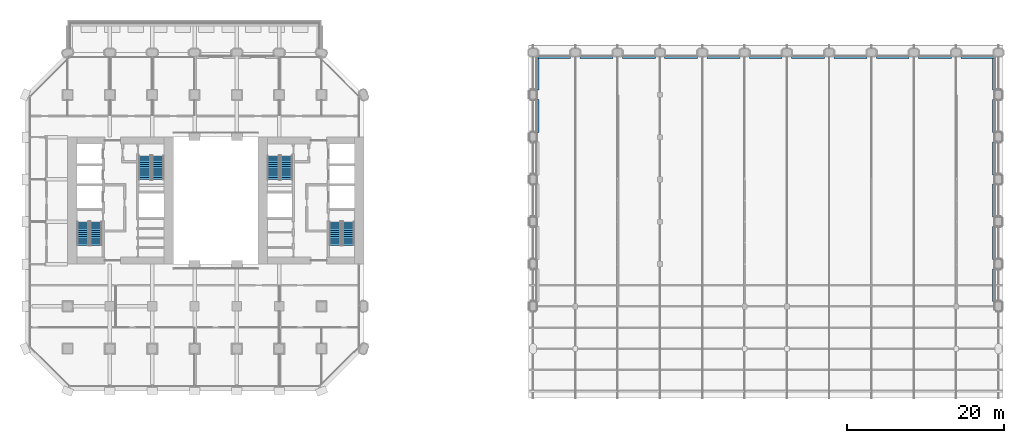
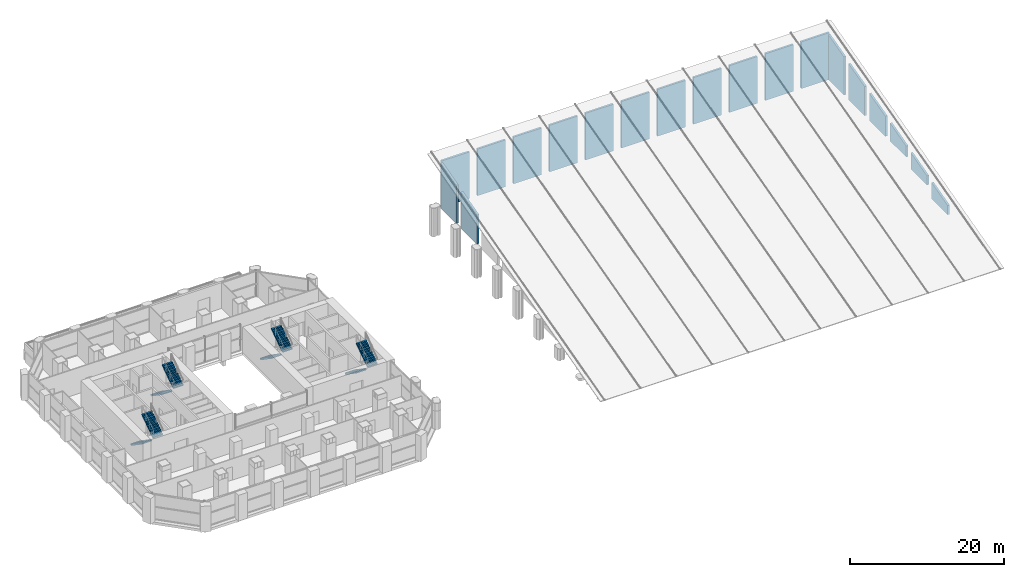
# One storey, part 16 of 23: 19 walls, 8 stair flights, 4 elements without a shape of their own.
"""IFC4 building model written with IfcOpenShell, lengths in metres."""

from ifc_helpers import new_model, si_unit, direction, frame, origin, place, context, subcontext, project, spatial, polyline, outline, extrude, material, layer, layer_set, type_object, element, aggregate, save


model = new_model("IFC4")

# Units and contexts
model_context = context("Model", 3, precision=1e-05, world=origin(), true_north=direction((0.0, 1.0)))
body_context = subcontext(model_context, "Body", "Model", "MODEL_VIEW")
ifc_project = project(units=[si_unit("LENGTHUNIT", "METRE"), si_unit("AREAUNIT", "SQUARE_METRE"), si_unit("VOLUMEUNIT", "CUBIC_METRE"), si_unit("PLANEANGLEUNIT", "RADIAN"), si_unit("MASSUNIT", "GRAM", prefix="KILO")], contexts=[model_context])

# Site, building, storey
site_placement = place(None, origin())
site = spatial("IfcSite", under=ifc_project, at=site_placement, CompositionType="ELEMENT")
building_placement = place(site_placement, origin())
building = spatial("IfcBuilding", under=site, at=building_placement, Name="Tabaq Tower and Sports Hall", CompositionType="ELEMENT")
storey_placement = place(building_placement, frame((0.0, 0.0, 24.60009765625)))
storey = spatial("IfcBuildingStorey", under=building, at=storey_placement, Name="L04", CompositionType="ELEMENT", Elevation=24.60009765625)

# Walls
ifc_material_1 = material(Name="White precast concrete C60/75", Category="concrete")
ifc_layer = layer(ifc_material_1, 0.300048828125)
ifc_layer_set = layer_set([ifc_layer], Name="White precast concrete C60/75 external wall 300")
wall_type = type_object("IfcWallType", Name="White precast concrete C60/75 external wall 300", PredefinedType="SOLIDWALL", material=ifc_layer_set)
wall_1_placement = place(storey_placement, frame((65.39990234375, 42.60009765625, 4.39990234375), z_axis=(0.0, 0.0, 1.0), x_axis=(1.0, 0.0, 0.0)))
element("IfcWall", 1, at=wall_1_placement, inside=storey, type_object=wall_type, Name="L03 N facade panel", PredefinedType="SOLIDWALL", context=body_context, shape_type="SweptSolid", body=[
    extrude(outline(polyline([(0.0, 0.0), (4.2001953125, 0.0), (4.199951171875, 7.419189453125), (0.0, 7.419189453125), (0.0, 0.0)])), frame((0.0, 0.14990234375, 0.0), z_axis=(0.0, -1.0, 0.0), x_axis=(1.0, 0.0, 0.0)), (0.0, 0.0, 1.0), 0.300048828125),
])
for number, where, z_axis, x_axis, name in (
    (2, (70.800048828125, 42.60009765625, 4.39990234375), (0.0, 0.0, 1.0), (1.0, 0.0, 0.0), "L03 N facade panel"),
    (3, (76.199951171875, 42.60009765625, 4.39990234375), (0.0, 0.0, 1.0), (1.0, 0.0, 0.0), "L03 N facade panel"),
    (4, (81.60009765625, 42.60009765625, 4.39990234375), (0.0, 0.0, 1.0), (1.0, 0.0, 0.0), "L03 N facade panel"),
    (5, (87.0, 42.60009765625, 4.39990234375), (0.0, 0.0, 1.0), (1.0, 0.0, 0.0), "L03 N facade panel"),
):
    element("IfcWall", number, at=place(storey_placement, frame(where, z_axis=z_axis, x_axis=x_axis)), inside=storey, type_object=wall_type, Name=name, PredefinedType="SOLIDWALL", context=body_context, shape_type="SweptSolid", body=[
        extrude(outline(polyline([(0.0, 0.0), (4.199951171875, 0.0), (4.199951171875, 7.419189453125), (0.0, 7.419189453125), (0.0, 0.0)])), frame((0.0, 0.14990234375, 0.0), z_axis=(0.0, -1.0, 0.0), x_axis=(1.0, 0.0, 0.0)), (0.0, 0.0, 1.0), 0.300048828125),
    ])
wall_2_placement = place(storey_placement, frame((92.39990234375, 42.60009765625, 4.39990234375), z_axis=(0.0, 0.0, 1.0), x_axis=(1.0, 0.0, 0.0)))
element("IfcWall", 6, at=wall_2_placement, inside=storey, type_object=wall_type, Name="L03 N facade panel", PredefinedType="SOLIDWALL", context=body_context, shape_type="SweptSolid", body=[
    extrude(outline(polyline([(0.0, 0.0), (4.2001953125, 0.0), (4.199951171875, 7.419189453125), (0.0, 7.419189453125), (0.0, 0.0)])), frame((0.0, 0.14990234375, 0.0), z_axis=(0.0, -1.0, 0.0), x_axis=(1.0, 0.0, 0.0)), (0.0, 0.0, 1.0), 0.300048828125),
])
for number, where, z_axis, x_axis, name in (
    (7, (97.800048828125, 42.60009765625, 4.39990234375), (0.0, 0.0, 1.0), (1.0, 0.0, 0.0), "L03 N facade panel"),
    (8, (103.199951171875, 42.60009765625, 4.39990234375), (0.0, 0.0, 1.0), (1.0, 0.0, 0.0), "L03 N facade panel"),
    (9, (108.60009765625, 42.60009765625, 4.39990234375), (0.0, 0.0, 1.0), (1.0, 0.0, 0.0), "L03 N facade panel"),
    (10, (114.0, 42.60009765625, 4.39990234375), (0.0, 0.0, 1.0), (1.0, 0.0, 0.0), "L03 N facade panel"),
):
    element("IfcWall", number, at=place(storey_placement, frame(where, z_axis=z_axis, x_axis=x_axis)), inside=storey, type_object=wall_type, Name=name, PredefinedType="SOLIDWALL", context=body_context, shape_type="SweptSolid", body=[
        extrude(outline(polyline([(0.0, 0.0), (4.199951171875, 0.0), (4.199951171875, 7.419189453125), (0.0, 7.419189453125), (0.0, 0.0)])), frame((0.0, 0.14990234375, 0.0), z_axis=(0.0, -1.0, 0.0), x_axis=(1.0, 0.0, 0.0)), (0.0, 0.0, 1.0), 0.300048828125),
    ])
wall_3_placement = place(storey_placement, frame((119.39990234375, 42.60009765625, 4.39990234375), z_axis=(0.0, 0.0, 1.0), x_axis=(1.0, 0.0, 0.0)))
element("IfcWall", 11, at=wall_3_placement, inside=storey, type_object=wall_type, Name="L03 N facade panel", PredefinedType="SOLIDWALL", context=body_context, shape_type="SweptSolid", body=[
    extrude(outline(polyline([(0.0, 0.0), (4.2001953125, 0.0), (4.199951171875, 7.419189453125), (0.0, 7.419189453125), (0.0, 0.0)])), frame((0.0, 0.14990234375, 0.0), z_axis=(0.0, -1.0, 0.0), x_axis=(1.0, 0.0, 0.0)), (0.0, 0.0, 1.0), 0.300048828125),
])
wall_4_placement = place(storey_placement, frame((65.39990234375, 33.0, 4.39990234375), z_axis=(0.0, 0.0, 1.0), x_axis=(0.0, 1.0, 0.0)))
element("IfcWall", 12, at=wall_4_placement, inside=storey, type_object=wall_type, Name="L03 W facade panel", PredefinedType="SOLIDWALL", context=body_context, shape_type="SweptSolid", body=[
    extrude(outline(polyline([(0.0, 0.0), (4.199951171875, 0.0), (4.199951171875, 5.752197265625), (0.0, 4.626708984375), (0.0, 0.0)])), frame((0.0, 0.14990234375, 0.0), z_axis=(0.0, -1.0, 0.0), x_axis=(1.0, 0.0, 0.0)), (0.0, 0.0, 1.0), 0.300048828125),
])
wall_5_placement = place(storey_placement, frame((65.39990234375, 38.39990234375, 4.39990234375), z_axis=(0.0, 0.0, 1.0), x_axis=(0.0, 1.0, 0.0)))
element("IfcWall", 13, at=wall_5_placement, inside=storey, type_object=wall_type, Name="L03 W facade panel", PredefinedType="SOLIDWALL", context=body_context, shape_type="SweptSolid", body=[
    extrude(outline(polyline([(0.0, 0.0), (4.050048828125, 0.0), (4.050048828125, 7.158935546875), (0.0, 6.07373046875), (0.0, 0.0)])), frame((0.0, 0.14990234375, 0.0), z_axis=(0.0, -1.0, 0.0), x_axis=(1.0, 0.0, 0.0)), (0.0, 0.0, 1.0), 0.300048828125),
])
wall_6_placement = place(storey_placement, frame((123.60009765625, 11.39990234375, 1.776611328125), z_axis=(0.0, 0.0, 1.0), x_axis=(0.0, 1.0, 0.0)))
element("IfcWall", 14, at=wall_6_placement, inside=storey, type_object=wall_type, Name="L03 E facade panel", PredefinedType="SOLIDWALL", context=body_context, shape_type="SweptSolid", body=[
    extrude(outline(polyline([(0.0, 0.0), (4.2001953125, 0.0), (4.199951171875, 2.587646484375), (0.0, 1.46240234375), (0.0, 0.0)])), frame((0.0, 0.14990234375, 0.0), z_axis=(0.0, -1.0, 0.0), x_axis=(1.0, 0.0, 0.0)), (0.0, 0.0, 1.0), 0.300048828125),
])
wall_7_placement = place(storey_placement, frame((123.60009765625, 16.800048828125, 3.2236328125), z_axis=(0.0, 0.0, 1.0), x_axis=(0.0, 1.0, 0.0)))
element("IfcWall", 15, at=wall_7_placement, inside=storey, type_object=wall_type, Name="L03 E facade panel", PredefinedType="SOLIDWALL", context=body_context, shape_type="SweptSolid", body=[
    extrude(outline(polyline([(0.0, 0.0), (4.199951171875, 0.0), (4.199951171875, 2.587646484375), (0.0, 1.462158203125), (0.0, 0.0)])), frame((0.0, 0.14990234375, 0.0), z_axis=(0.0, -1.0, 0.0), x_axis=(1.0, 0.0, 0.0)), (0.0, 0.0, 1.0), 0.300048828125),
])
wall_8_placement = place(storey_placement, frame((123.60009765625, 22.199951171875, 4.39990234375), z_axis=(0.0, 0.0, 1.0), x_axis=(0.0, 1.0, 0.0)))
element("IfcWall", 16, at=wall_8_placement, inside=storey, type_object=wall_type, Name="L03 E facade panel", PredefinedType="SOLIDWALL", context=body_context, shape_type="SweptSolid", body=[
    extrude(outline(polyline([(0.0, 0.0), (4.199951171875, 0.0), (4.199951171875, 2.8583984375), (0.0, 1.73291015625), (0.0, 0.0)])), frame((0.0, 0.14990234375, 0.0), z_axis=(0.0, -1.0, 0.0), x_axis=(1.0, 0.0, 0.0)), (0.0, 0.0, 1.0), 0.300048828125),
])
wall_9_placement = place(storey_placement, frame((123.60009765625, 27.60009765625, 4.39990234375), z_axis=(0.0, 0.0, 1.0), x_axis=(0.0, 1.0, 0.0)))
element("IfcWall", 17, at=wall_9_placement, inside=storey, type_object=wall_type, Name="L03 E facade panel", PredefinedType="SOLIDWALL", context=body_context, shape_type="SweptSolid", body=[
    extrude(outline(polyline([(0.0, 0.0), (4.199951171875, 0.0), (4.199951171875, 4.30517578125), (0.0, 3.179931640625), (0.0, 0.0)])), frame((0.0, 0.14990234375, 0.0), z_axis=(0.0, -1.0, 0.0), x_axis=(1.0, 0.0, 0.0)), (0.0, 0.0, 1.0), 0.300048828125),
])
wall_10_placement = place(storey_placement, frame((123.60009765625, 33.0, 4.39990234375), z_axis=(0.0, 0.0, 1.0), x_axis=(0.0, 1.0, 0.0)))
element("IfcWall", 18, at=wall_10_placement, inside=storey, type_object=wall_type, Name="L03 E facade panel", PredefinedType="SOLIDWALL", context=body_context, shape_type="SweptSolid", body=[
    extrude(outline(polyline([(0.0, 0.0), (4.199951171875, 0.0), (4.199951171875, 5.752197265625), (0.0, 4.626708984375), (0.0, 0.0)])), frame((0.0, 0.14990234375, 0.0), z_axis=(0.0, -1.0, 0.0), x_axis=(1.0, 0.0, 0.0)), (0.0, 0.0, 1.0), 0.300048828125),
])
wall_11_placement = place(storey_placement, frame((123.60009765625, 38.39990234375, 4.39990234375), z_axis=(0.0, 0.0, 1.0), x_axis=(0.0, 1.0, 0.0)))
element("IfcWall", 19, at=wall_11_placement, inside=storey, type_object=wall_type, Name="L03 E facade panel", PredefinedType="SOLIDWALL", context=body_context, shape_type="SweptSolid", body=[
    extrude(outline(polyline([(0.0, 0.0), (4.050048828125, 0.0), (4.050048828125, 7.158935546875), (0.0, 6.07373046875), (0.0, 0.0)])), frame((0.0, 0.14990234375, 0.0), z_axis=(0.0, -1.0, 0.0), x_axis=(1.0, 0.0, 0.0)), (0.0, 0.0, 1.0), 0.300048828125),
])

# Stair, stair flights
ifc_material_2 = material(Name="Concrete C40/50", Category="concrete")
stair_type = type_object("IfcStairType", Name="Exit stair", PredefinedType="HALF_TURN_STAIR", material=ifc_material_2)
stair_1_placement = place(storey_placement, origin())
stair_1 = element("IfcStair", 20, at=stair_1_placement, inside=storey, type_object=stair_type, Name="L04 Exit stair ST1", PredefinedType="HALF_TURN_STAIR")
ifc_material_3 = material(Name="Concrete C40/50", Category="concrete")
stair_flight_type = type_object("IfcStairFlightType", Name="Exit stair flight", PredefinedType="STRAIGHT", material=ifc_material_3)
stair_flight_1_placement = place(storey_placement, frame((7.35009765625, 21.60009765625, 0.0), z_axis=(0.0, 0.0, 1.0), x_axis=(0.0, -1.0, 0.0)))
stair_flight_1 = element("IfcStairFlight", 21, at=stair_flight_1_placement, type_object=stair_flight_type, Name="ST1 flight 1", NumberOfRisers=12, NumberOfTreads=11, PredefinedType="STRAIGHT", RiserHeight=0.1875, TreadLength=0.272727273, context=body_context, shape_type="SweptSolid", body=[
    extrude(outline(polyline([(0.0, 0.0), (0.0, 0.1875), (0.272705078125, 0.1875), (0.272705078125, 0.375), (0.54541015625, 0.375), (0.54541015625, 0.5625), (0.818115234375, 0.5625), (0.818115234375, 0.75), (1.0908203125, 0.75), (1.0908203125, 0.9375), (1.363525390625, 0.9375), (1.363525390625, 1.125), (1.636474609375, 1.125), (1.636474609375, 1.3125), (1.9091796875, 1.3125), (1.9091796875, 1.5), (2.181884765625, 1.5), (2.181884765625, 1.6875), (2.45458984375, 1.6875), (2.45458984375, 1.875), (2.727294921875, 1.875), (2.727294921875, 2.0625), (3.0, 2.0625), (3.0, 2.25), (3.0, 1.880615234375), (0.2646484375, 0.0), (0.0, 0.0)])), frame((0.0, 0.75, 0.0), z_axis=(0.0, -1.0, 0.0), x_axis=(1.0, 0.0, 0.0)), (0.0, 0.0, 1.0), 1.5),
])
stair_flight_2_placement = place(storey_placement, frame((9.050048828125, 18.60009765625, 2.25), z_axis=(0.0, 0.0, 1.0), x_axis=(0.0, 1.0, 0.0)))
stair_flight_2 = element("IfcStairFlight", 22, at=stair_flight_2_placement, type_object=stair_flight_type, Name="ST1 flight 2", NumberOfRisers=12, NumberOfTreads=11, PredefinedType="STRAIGHT", RiserHeight=0.1875, TreadLength=0.272727273, context=body_context, shape_type="SweptSolid", body=[
    extrude(outline(polyline([(0.0, 0.0), (0.0, 0.1875), (0.272705078125, 0.1875), (0.272705078125, 0.375), (0.54541015625, 0.375), (0.54541015625, 0.5625), (0.818115234375, 0.5625), (0.818115234375, 0.75), (1.0908203125, 0.75), (1.0908203125, 0.9375), (1.363525390625, 0.9375), (1.363525390625, 1.125), (1.636474609375, 1.125), (1.636474609375, 1.3125), (1.9091796875, 1.3125), (1.9091796875, 1.5), (2.181884765625, 1.5), (2.181884765625, 1.6875), (2.45458984375, 1.6875), (2.45458984375, 1.875), (2.727294921875, 1.875), (2.727294921875, 2.0625), (3.0, 2.0625), (3.0, 2.25), (3.0, 1.880615234375), (0.2646484375, 0.0), (0.0, 0.0)])), frame((0.0, 0.75, 0.0), z_axis=(0.0, -1.0, 0.0), x_axis=(1.0, 0.0, 0.0)), (0.0, 0.0, 1.0), 1.5),
])
aggregate(stair_1, [stair_flight_1, stair_flight_2])

stair_2_placement = place(storey_placement, origin())
stair_2 = element("IfcStair", 23, at=stair_2_placement, inside=storey, type_object=stair_type, Name="L04 Exit stair ST2", PredefinedType="HALF_TURN_STAIR")
stair_flight_3_placement = place(storey_placement, frame((15.25, 30.0, 0.0), z_axis=(0.0, 0.0, 1.0), x_axis=(0.0, -1.0, 0.0)))
stair_flight_3 = element("IfcStairFlight", 24, at=stair_flight_3_placement, type_object=stair_flight_type, Name="ST2 flight 1", NumberOfRisers=12, NumberOfTreads=11, PredefinedType="STRAIGHT", RiserHeight=0.1875, TreadLength=0.272727273, context=body_context, shape_type="SweptSolid", body=[
    extrude(outline(polyline([(0.0, 0.0), (0.0, 0.1875), (0.272705078125, 0.1875), (0.272705078125, 0.375), (0.54541015625, 0.375), (0.54541015625, 0.5625), (0.818115234375, 0.5625), (0.818115234375, 0.75), (1.0908203125, 0.75), (1.0908203125, 0.9375), (1.363525390625, 0.9375), (1.363525390625, 1.125), (1.636474609375, 1.125), (1.636474609375, 1.3125), (1.9091796875, 1.3125), (1.9091796875, 1.5), (2.181884765625, 1.5), (2.181884765625, 1.6875), (2.45458984375, 1.6875), (2.45458984375, 1.875), (2.727294921875, 1.875), (2.727294921875, 2.0625), (3.0, 2.0625), (3.0, 2.25), (3.0, 1.880615234375), (0.2646484375, 0.0), (0.0, 0.0)])), frame((0.0, 0.75, 0.0), z_axis=(0.0, -1.0, 0.0), x_axis=(1.0, 0.0, 0.0)), (0.0, 0.0, 1.0), 1.5),
])
stair_flight_4_placement = place(storey_placement, frame((16.949951171875, 27.0, 2.25), z_axis=(0.0, 0.0, 1.0), x_axis=(0.0, 1.0, 0.0)))
stair_flight_4 = element("IfcStairFlight", 25, at=stair_flight_4_placement, type_object=stair_flight_type, Name="ST2 flight 2", NumberOfRisers=12, NumberOfTreads=11, PredefinedType="STRAIGHT", RiserHeight=0.1875, TreadLength=0.272727273, context=body_context, shape_type="SweptSolid", body=[
    extrude(outline(polyline([(0.0, 0.0), (0.0, 0.1875), (0.272705078125, 0.1875), (0.272705078125, 0.375), (0.54541015625, 0.375), (0.54541015625, 0.5625), (0.818115234375, 0.5625), (0.818115234375, 0.75), (1.0908203125, 0.75), (1.0908203125, 0.9375), (1.363525390625, 0.9375), (1.363525390625, 1.125), (1.636474609375, 1.125), (1.636474609375, 1.3125), (1.9091796875, 1.3125), (1.9091796875, 1.5), (2.181884765625, 1.5), (2.181884765625, 1.6875), (2.45458984375, 1.6875), (2.45458984375, 1.875), (2.727294921875, 1.875), (2.727294921875, 2.0625), (3.0, 2.0625), (3.0, 2.25), (3.0, 1.880615234375), (0.2646484375, 0.0), (0.0, 0.0)])), frame((0.0, 0.75, 0.0), z_axis=(0.0, -1.0, 0.0), x_axis=(1.0, 0.0, 0.0)), (0.0, 0.0, 1.0), 1.5),
])
aggregate(stair_2, [stair_flight_3, stair_flight_4])

stair_3_placement = place(storey_placement, origin())
stair_3 = element("IfcStair", 26, at=stair_3_placement, inside=storey, type_object=stair_type, Name="L04 Exit stair ST3", PredefinedType="HALF_TURN_STAIR")
stair_flight_5_placement = place(storey_placement, frame((39.550048828125, 21.60009765625, 0.0), z_axis=(0.0, 0.0, 1.0), x_axis=(0.0, -1.0, 0.0)))
stair_flight_5 = element("IfcStairFlight", 27, at=stair_flight_5_placement, type_object=stair_flight_type, Name="ST3 flight 1", NumberOfRisers=12, NumberOfTreads=11, PredefinedType="STRAIGHT", RiserHeight=0.1875, TreadLength=0.272727273, context=body_context, shape_type="SweptSolid", body=[
    extrude(outline(polyline([(0.0, 0.0), (0.0, 0.1875), (0.272705078125, 0.1875), (0.272705078125, 0.375), (0.54541015625, 0.375), (0.54541015625, 0.5625), (0.818115234375, 0.5625), (0.818115234375, 0.75), (1.0908203125, 0.75), (1.0908203125, 0.9375), (1.363525390625, 0.9375), (1.363525390625, 1.125), (1.636474609375, 1.125), (1.636474609375, 1.3125), (1.9091796875, 1.3125), (1.9091796875, 1.5), (2.181884765625, 1.5), (2.181884765625, 1.6875), (2.45458984375, 1.6875), (2.45458984375, 1.875), (2.727294921875, 1.875), (2.727294921875, 2.0625), (3.0, 2.0625), (3.0, 2.25), (3.0, 1.880615234375), (0.2646484375, 0.0), (0.0, 0.0)])), frame((0.0, 0.75, 0.0), z_axis=(0.0, -1.0, 0.0), x_axis=(1.0, 0.0, 0.0)), (0.0, 0.0, 1.0), 1.5),
])
stair_flight_6_placement = place(storey_placement, frame((41.25, 18.60009765625, 2.25), z_axis=(0.0, 0.0, 1.0), x_axis=(0.0, 1.0, 0.0)))
stair_flight_6 = element("IfcStairFlight", 28, at=stair_flight_6_placement, type_object=stair_flight_type, Name="ST3 flight 2", NumberOfRisers=12, NumberOfTreads=11, PredefinedType="STRAIGHT", RiserHeight=0.1875, TreadLength=0.272727273, context=body_context, shape_type="SweptSolid", body=[
    extrude(outline(polyline([(0.0, 0.0), (0.0, 0.1875), (0.272705078125, 0.1875), (0.272705078125, 0.375), (0.54541015625, 0.375), (0.54541015625, 0.5625), (0.818115234375, 0.5625), (0.818115234375, 0.75), (1.0908203125, 0.75), (1.0908203125, 0.9375), (1.363525390625, 0.9375), (1.363525390625, 1.125), (1.636474609375, 1.125), (1.636474609375, 1.3125), (1.9091796875, 1.3125), (1.9091796875, 1.5), (2.181884765625, 1.5), (2.181884765625, 1.6875), (2.45458984375, 1.6875), (2.45458984375, 1.875), (2.727294921875, 1.875), (2.727294921875, 2.0625), (3.0, 2.0625), (3.0, 2.25), (3.0, 1.880615234375), (0.2646484375, 0.0), (0.0, 0.0)])), frame((0.0, 0.75, 0.0), z_axis=(0.0, -1.0, 0.0), x_axis=(1.0, 0.0, 0.0)), (0.0, 0.0, 1.0), 1.5),
])
aggregate(stair_3, [stair_flight_5, stair_flight_6])

stair_4_placement = place(storey_placement, origin())
stair_4 = element("IfcStair", 29, at=stair_4_placement, inside=storey, type_object=stair_type, Name="L04 Exit stair ST4", PredefinedType="HALF_TURN_STAIR")
stair_flight_7_placement = place(storey_placement, frame((31.64990234375, 30.0, 0.0), z_axis=(0.0, 0.0, 1.0), x_axis=(0.0, -1.0, 0.0)))
stair_flight_7 = element("IfcStairFlight", 30, at=stair_flight_7_placement, type_object=stair_flight_type, Name="ST4 flight 1", NumberOfRisers=12, NumberOfTreads=11, PredefinedType="STRAIGHT", RiserHeight=0.1875, TreadLength=0.272727273, context=body_context, shape_type="SweptSolid", body=[
    extrude(outline(polyline([(0.0, 0.0), (0.0, 0.1875), (0.272705078125, 0.1875), (0.272705078125, 0.375), (0.54541015625, 0.375), (0.54541015625, 0.5625), (0.818115234375, 0.5625), (0.818115234375, 0.75), (1.0908203125, 0.75), (1.0908203125, 0.9375), (1.363525390625, 0.9375), (1.363525390625, 1.125), (1.636474609375, 1.125), (1.636474609375, 1.3125), (1.9091796875, 1.3125), (1.9091796875, 1.5), (2.181884765625, 1.5), (2.181884765625, 1.6875), (2.45458984375, 1.6875), (2.45458984375, 1.875), (2.727294921875, 1.875), (2.727294921875, 2.0625), (3.0, 2.0625), (3.0, 2.25), (3.0, 1.880615234375), (0.2646484375, 0.0), (0.0, 0.0)])), frame((0.0, 0.75, 0.0), z_axis=(0.0, -1.0, 0.0), x_axis=(1.0, 0.0, 0.0)), (0.0, 0.0, 1.0), 1.5),
])
stair_flight_8_placement = place(storey_placement, frame((33.35009765625, 27.0, 2.25), z_axis=(0.0, 0.0, 1.0), x_axis=(0.0, 1.0, 0.0)))
stair_flight_8 = element("IfcStairFlight", 31, at=stair_flight_8_placement, type_object=stair_flight_type, Name="ST4 flight 2", NumberOfRisers=12, NumberOfTreads=11, PredefinedType="STRAIGHT", RiserHeight=0.1875, TreadLength=0.272727273, context=body_context, shape_type="SweptSolid", body=[
    extrude(outline(polyline([(0.0, 0.0), (0.0, 0.1875), (0.272705078125, 0.1875), (0.272705078125, 0.375), (0.54541015625, 0.375), (0.54541015625, 0.5625), (0.818115234375, 0.5625), (0.818115234375, 0.75), (1.0908203125, 0.75), (1.0908203125, 0.9375), (1.363525390625, 0.9375), (1.363525390625, 1.125), (1.636474609375, 1.125), (1.636474609375, 1.3125), (1.9091796875, 1.3125), (1.9091796875, 1.5), (2.181884765625, 1.5), (2.181884765625, 1.6875), (2.45458984375, 1.6875), (2.45458984375, 1.875), (2.727294921875, 1.875), (2.727294921875, 2.0625), (3.0, 2.0625), (3.0, 2.25), (3.0, 1.880615234375), (0.2646484375, 0.0), (0.0, 0.0)])), frame((0.0, 0.75, 0.0), z_axis=(0.0, -1.0, 0.0), x_axis=(1.0, 0.0, 0.0)), (0.0, 0.0, 1.0), 1.5),
])
aggregate(stair_4, [stair_flight_7, stair_flight_8])

save(model, "model.ifc")
